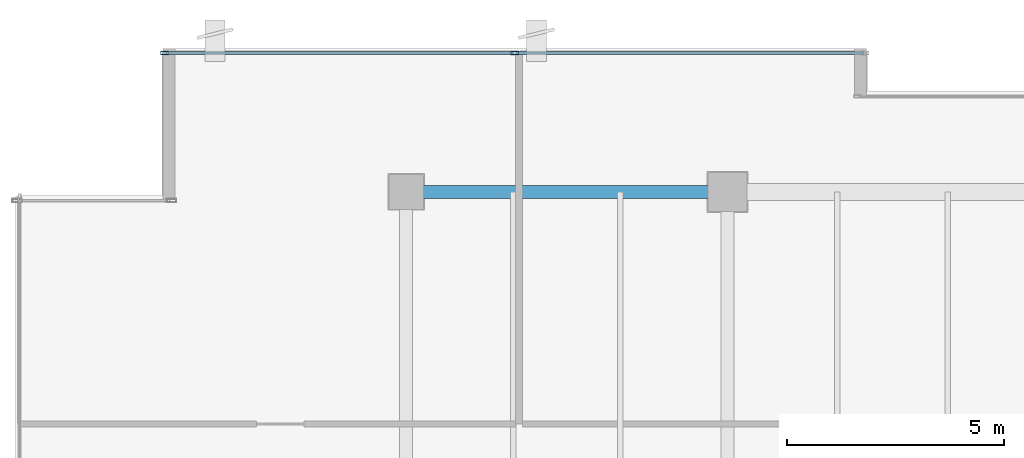
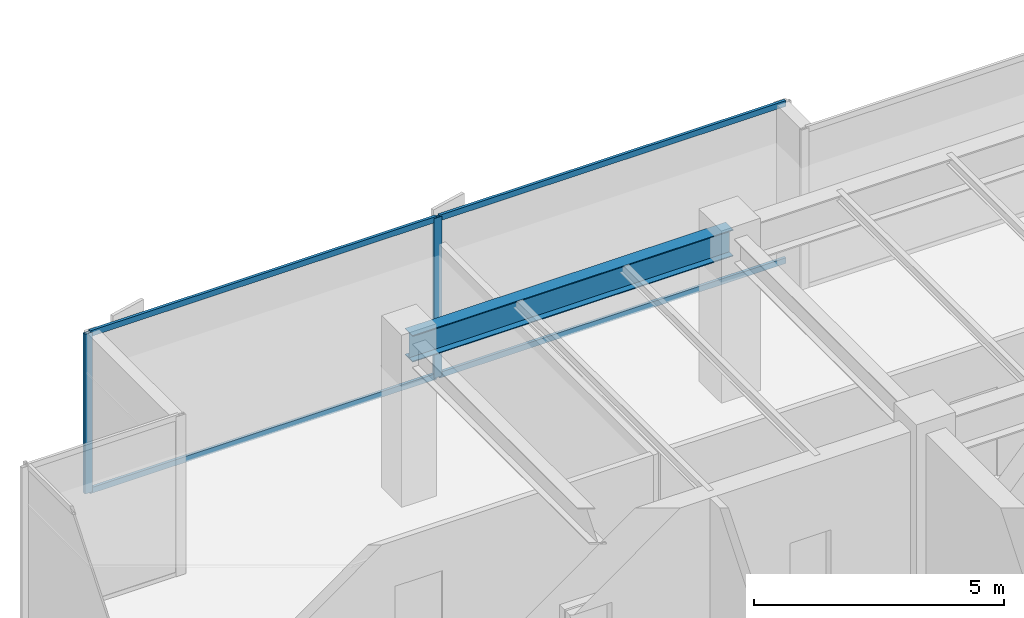
# One storey, part 19 of 32: 6 members, 1 beam, 1 element without a shape of its own.
"""IFC4 building model written with IfcOpenShell, lengths in metres."""

import ifcopenshell
import ifcopenshell.guid

model = None  # the IFC model being written
_history = None  # IfcOwnerHistory: only IFC2X3 demands one
_inside = {}  # id of a spatial element -> (the spatial element, [elements in it])
_under = {}  # id of a project, library or spatial element -> (it, [spatial elements below it])
_declared = {}  # id of a project -> (the project, [libraries it declares])
_typed = {}  # id of a type object -> (the type object, [elements of that type])
_made_of = {}  # id of a material, layer set ... -> (it, [elements and type objects made of it])


def new_model(schema):
    """Start an empty IFC model of exactly this schema.

    Asked for "IFC4X3", IfcOpenShell would pick the latest addendum, in which some entities
    have other attributes; the version numbers below select the first issue.
    IFC2X3 requires an IfcOwnerHistory on every rooted entity: one is made here for all.
    """
    global model, _history
    if schema == "IFC4X3":
        model = ifcopenshell.file(schema_version=(4, 3, 0, 0))
    else:
        model = ifcopenshell.file(schema=schema)
    _inside.clear()
    _under.clear()
    _declared.clear()
    _typed.clear()
    _made_of.clear()
    _history = None
    if model.schema == "IFC2X3":
        org = make("IfcOrganization", Name="unknown")
        user = make(
            "IfcPersonAndOrganization",
            ThePerson=make("IfcPerson", FamilyName="unknown"),
            TheOrganization=org,
        )
        app = make(
            "IfcApplication",
            ApplicationDeveloper=org,
            Version="unknown",
            ApplicationFullName="unknown",
            ApplicationIdentifier="unknown",
        )
        _history = make(
            "IfcOwnerHistory",
            OwningUser=user,
            OwningApplication=app,
            ChangeAction="ADDED",
            CreationDate=0,
        )
    return model


def make(cls, **values):
    """One entity of the class cls with the attributes given. An attribute that is None is left unset."""
    return model.create_entity(
        cls, **{name: value for name, value in values.items() if value is not None}
    )


def rooted(cls, **values):
    """An entity with a GlobalId (a new one), such as an element, a storey or a relation."""
    return make(cls, GlobalId=ifcopenshell.guid.new(), OwnerHistory=_history, **values)


def si_unit(unit_type, name, prefix=None):
    """IfcSIUnit, for example si_unit("LENGTHUNIT", "METRE", prefix="MILLI")."""
    return make("IfcSIUnit", UnitType=unit_type, Prefix=prefix, Name=name)


def assignment(units):
    """IfcUnitAssignment: the units of a project."""
    return None if units is None else make("IfcUnitAssignment", Units=units)


def point(xyz):
    """IfcCartesianPoint."""
    return None if xyz is None else make("IfcCartesianPoint", Coordinates=xyz)


def direction(xyz):
    """IfcDirection."""
    return None if xyz is None else make("IfcDirection", DirectionRatios=xyz)


def frame(location, z_axis=None, x_axis=None):
    """IfcAxis2Placement3D, a coordinate frame: its origin and axes. An axis left out is left unset."""
    return make(
        "IfcAxis2Placement3D",
        Location=point(location),
        Axis=direction(z_axis),
        RefDirection=direction(x_axis),
    )


def frame_2d(location, x_axis=None):
    """IfcAxis2Placement2D, a coordinate frame in the plane: its origin and x axis."""
    return make(
        "IfcAxis2Placement2D", Location=point(location), RefDirection=direction(x_axis)
    )


def origin():
    """The frame at (0, 0, 0) with its axes left unset."""
    return frame((0.0, 0.0, 0.0))


def origin_2d():
    """The frame at (0, 0) in the plane with its x axis left unset."""
    return frame_2d((0.0, 0.0))


def place(relative_to, where):
    """IfcLocalPlacement: puts the frame where relative to a parent placement (None: the world)."""
    return make(
        "IfcLocalPlacement", PlacementRelTo=relative_to, RelativePlacement=where
    )


def context(
    kind, dimensions, precision=None, world=None, true_north=None, identifier=None
):
    """IfcGeometricRepresentationContext, for example the 3D "Model" context."""
    return make(
        "IfcGeometricRepresentationContext",
        ContextIdentifier=identifier,
        ContextType=kind,
        CoordinateSpaceDimension=dimensions,
        Precision=precision,
        WorldCoordinateSystem=world,
        TrueNorth=true_north,
    )


def subcontext(parent, identifier, kind, view, scale=None):
    """IfcGeometricRepresentationSubContext, for example "Body" below "Model"."""
    return make(
        "IfcGeometricRepresentationSubContext",
        ContextIdentifier=identifier,
        ContextType=kind,
        ParentContext=parent,
        TargetScale=scale,
        TargetView=view,
    )


def project(units=None, contexts=None):
    """IfcProject with its units and contexts."""
    return rooted(
        "IfcProject",
        Name="project",
        RepresentationContexts=contexts,
        UnitsInContext=assignment(units),
    )


def spatial(cls, under=None, at=None, **own):
    """A site, building, storey or space (cls), placed at a placement, below another one or the project."""
    s = rooted(cls, ObjectPlacement=at, **own)
    if under is not None:
        _under.setdefault(under.id(), (under, []))[1].append(s)
    return s


def profile(cls, at=None, kind="AREA", **sizes):
    """A parametric profile (cls). Its sizes go by their IFC names, for example OverallWidth=200.0."""
    return make(cls, ProfileType=kind, Position=at, **sizes)


def hollow_rectangle(**sizes):
    """IfcRectangleHollowProfileDef."""
    return profile("IfcRectangleHollowProfileDef", **sizes)


def i_section(**sizes):
    """IfcIShapeProfileDef."""
    return profile("IfcIShapeProfileDef", **sizes)


def extrude(swept, where, along, depth):
    """IfcExtrudedAreaSolid: the profile swept, set in the frame where, extruded along a direction by depth."""
    return make(
        "IfcExtrudedAreaSolid",
        SweptArea=swept,
        Position=where,
        ExtrudedDirection=direction(along),
        Depth=depth,
    )


def shape(context_of_items, identifier, shape_type, items):
    """IfcShapeRepresentation: the items that make up one representation, for example the "Body"."""
    return make(
        "IfcShapeRepresentation",
        ContextOfItems=context_of_items,
        RepresentationIdentifier=identifier,
        RepresentationType=shape_type,
        Items=items,
    )


def source(mapping_origin, context_of_items, identifier, shape_type, items):
    """IfcRepresentationMap: a shape defined once, which mapped items show again and again."""
    return make(
        "IfcRepresentationMap",
        MappingOrigin=mapping_origin,
        MappedRepresentation=shape(context_of_items, identifier, shape_type, items),
    )


def transform(
    local_origin,
    x_axis=None,
    y_axis=None,
    z_axis=None,
    scale=None,
    scale2=None,
    scale3=None,
    uniform=True,
):
    """IfcCartesianTransformationOperator3D, or its non-uniform kind. x_axis, y_axis, z_axis: its Axis1, 2, 3."""
    if uniform:
        return make(
            "IfcCartesianTransformationOperator3D",
            Axis1=direction(x_axis),
            Axis2=direction(y_axis),
            LocalOrigin=point(local_origin),
            Scale=scale,
            Axis3=direction(z_axis),
        )
    return make(
        "IfcCartesianTransformationOperator3DnonUniform",
        Axis1=direction(x_axis),
        Axis2=direction(y_axis),
        LocalOrigin=point(local_origin),
        Scale=scale,
        Axis3=direction(z_axis),
        Scale2=scale2,
        Scale3=scale3,
    )


def mapped(mapping_source, mapping_target):
    """IfcMappedItem: shows the shape of a source again, moved by a transform."""
    return make(
        "IfcMappedItem", MappingSource=mapping_source, MappingTarget=mapping_target
    )


def material(Name=None, Category=None):
    """IfcMaterial."""
    return make("IfcMaterial", Name=Name, Category=Category)


def layer(
    of_material, thickness, ventilated=None, Name=None, Category=None, Priority=None
):
    """IfcMaterialLayer: one layer of a wall or slab, of a material (None: an air gap)."""
    return make(
        "IfcMaterialLayer",
        Material=of_material,
        LayerThickness=thickness,
        IsVentilated=ventilated,
        Name=Name,
        Category=Category,
        Priority=Priority,
    )


def layer_set(layers, Name=None):
    """IfcMaterialLayerSet."""
    return make("IfcMaterialLayerSet", MaterialLayers=layers, LayerSetName=Name)


def material_profile(
    of_material, cross_section, Name=None, Category=None, Priority=None
):
    """IfcMaterialProfile: a cross section and its material."""
    return make(
        "IfcMaterialProfile",
        Name=Name,
        Material=of_material,
        Profile=cross_section,
        Priority=Priority,
        Category=Category,
    )


def profile_set(profiles, Name=None, composite=None):
    """IfcMaterialProfileSet."""
    return make(
        "IfcMaterialProfileSet",
        Name=Name,
        MaterialProfiles=profiles,
        CompositeProfile=composite,
    )


def made_of(thing, what):
    """Note that an element or type object is made of a material, layer set ...; save() writes the relation."""
    if what is not None:
        _made_of.setdefault(what.id(), (what, []))[1].append(thing)
    return thing


def type_object(cls, material=None, **own):
    """A type object (cls), such as IfcWallType, which elements share."""
    return made_of(rooted(cls, **own), material)


def type_shapes(of_type, sources):
    """Give a type object the sources (RepresentationMaps) that its elements show as mapped items."""
    of_type.RepresentationMaps = sources


def element(
    cls,
    number,
    at=None,
    inside=None,
    cuts=None,
    type_object=None,
    material=None,
    context=None,
    identifier="Body",
    shape_type=None,
    held_by="IfcProductDefinitionShape",
    body=None,
    shapes=None,
    **own,
):
    """One element of the class cls, such as IfcWall. Its Tag is "e" and its number.

    at: its placement. inside: the storey or other place that contains it. cuts: it is an
    opening in that element (IfcRelVoidsElement). A single representation is given by context,
    identifier, shape_type and body (its items); several are given by shapes. held_by: the class
    of the entity that holds the representations. save() writes the other relations.
    """
    e = rooted(cls, Tag="e%d" % number, ObjectPlacement=at, **own)
    if body is not None:
        shapes = [shape(context, identifier, shape_type, body)]
    if shapes is not None:
        e.Representation = make(held_by, Representations=shapes)
    if inside is not None:
        _inside.setdefault(inside.id(), (inside, []))[1].append(e)
    if cuts is not None:
        rooted(
            "IfcRelVoidsElement", RelatingBuildingElement=cuts, RelatedOpeningElement=e
        )
    if type_object is not None:
        _typed.setdefault(type_object.id(), (type_object, []))[1].append(e)
    return made_of(e, material)


def aggregate(whole, parts):
    """IfcRelAggregates: a whole, such as a stair, and the parts it consists of."""
    return rooted("IfcRelAggregates", RelatingObject=whole, RelatedObjects=parts)


def save(model, path):
    """Write the relations noted so far, then the file.

    IfcRelAggregates (storeys below a building ...), IfcRelContainedInSpatialStructure (elements
    in a storey), IfcRelDefinesByType, IfcRelAssociatesMaterial and IfcRelDeclares: one each for
    every whole, place, type object, material and project.
    """
    for whole, parts in _under.values():
        aggregate(whole, parts)
    for where, things in _inside.values():
        rooted(
            "IfcRelContainedInSpatialStructure",
            RelatedElements=things,
            RelatingStructure=where,
        )
    for kind, things in _typed.values():
        rooted("IfcRelDefinesByType", RelatedObjects=things, RelatingType=kind)
    for what, things in _made_of.values():
        rooted("IfcRelAssociatesMaterial", RelatedObjects=things, RelatingMaterial=what)
    for by, libraries in _declared.values():
        rooted("IfcRelDeclares", RelatingContext=by, RelatedDefinitions=libraries)
    model.write(path)


model = new_model("IFC4")

# Units and contexts
model_context = context("Model", 3, precision=1e-05, world=origin(), true_north=direction((0.0, 1.0)))
body_context = subcontext(model_context, "Body", "Model", "MODEL_VIEW")
ifc_project = project(units=[si_unit("LENGTHUNIT", "METRE"), si_unit("AREAUNIT", "SQUARE_METRE"), si_unit("VOLUMEUNIT", "CUBIC_METRE"), si_unit("PLANEANGLEUNIT", "RADIAN"), si_unit("MASSUNIT", "GRAM", prefix="KILO")], contexts=[model_context])

# Site, building, storey
site_placement = place(None, origin())
site = spatial("IfcSite", under=ifc_project, at=site_placement, CompositionType="ELEMENT")
building_placement = place(site_placement, origin())
building = spatial("IfcBuilding", under=site, at=building_placement, Name="Haelvirn Gate Laboratories", CompositionType="ELEMENT")
storey_placement = place(building_placement, frame((0.0, 0.0, 306.0)))
storey = spatial("IfcBuildingStorey", under=building, at=storey_placement, Name="L73", CompositionType="ELEMENT", Elevation=306.0)

# Beam
ifc_material_1 = material(Name="Steel SM355", Category="steel")
ifc_material_profile_1 = material_profile(ifc_material_1, i_section(OverallWidth=0.300048828125, OverallDepth=0.64990234375, WebThickness=0.012939453125, FlangeThickness=0.02197265625, at=origin_2d()), Name="H-650x300x13x22")
ifc_profile_set_1 = profile_set([ifc_material_profile_1], Name="Steel SM355")
beam_type = type_object("IfcBeamType", Name="BM-G-650", PredefinedType="BEAM", material=ifc_profile_set_1)
shared_shape_1 = source(origin(), body_context, "Body", "SweptSolid", [
    extrude(i_section(OverallWidth=0.300048828125, OverallDepth=0.64990234375, WebThickness=0.012939453125, FlangeThickness=0.02197265625, at=origin_2d()), origin(), (0.0, 0.0, 1.0), 7.39990234375),
])
type_shapes(beam_type, [shared_shape_1])
beam_placement = place(storey_placement, frame((14.800048828125, 41.60009765625, 3.574951171875), z_axis=(1.0, 0.0, 0.0), x_axis=(0.0, 1.0, 0.0)))
element("IfcBeam", 1, at=beam_placement, inside=storey, type_object=beam_type, Name="L73 Primary Girder Y41.6 (14.8-22.2)", PredefinedType="BEAM", context=body_context, shape_type="MappedRepresentation", body=[
    mapped(shared_shape_1, transform((0.0, 0.0, 0.0), scale=1.0)),
])

# Curtain wall, members
ifc_material_2 = material(Name="Anodised bronze unitised aluminium & triple low-E glass", Category="aluminium")
ifc_layer = layer(ifc_material_2, 0.176025390625, Name="CW-SYS-4")
ifc_layer_set = layer_set([ifc_layer], Name="Anodised bronze unitised aluminium & triple low-E glass")
curtain_wall_type = type_object("IfcCurtainWallType", Name="CW-SYS-4", PredefinedType="NOTDEFINED", material=ifc_layer_set)
curtain_wall_placement = place(storey_placement, origin())
curtain_wall = element("IfcCurtainWall", 2, at=curtain_wall_placement, inside=storey, type_object=curtain_wall_type, Name="L73 Unitised Curtain Wall CW-L73-P0-E14-1", PredefinedType="NOTDEFINED")
ifc_material_3 = material(Name="Extruded aluminium 6063-T6 (anodised bronze)", Category="aluminium")
ifc_material_profile_2 = material_profile(ifc_material_3, hollow_rectangle(XDim=0.070068359375, YDim=0.179931640625, WallThickness=0.0048828125, at=origin_2d()), Name="CWM-180x70x5")
ifc_profile_set_2 = profile_set([ifc_material_profile_2], Name="Extruded aluminium 6063-T6 (anodised bronze)")
member_type_1 = type_object("IfcMemberType", Name="CWM-T180", PredefinedType="MULLION", material=ifc_profile_set_2)
shared_shape_2 = source(origin(), body_context, "Body", "SweptSolid", [
    extrude(hollow_rectangle(XDim=0.070068359375, YDim=0.179931640625, WallThickness=0.0048828125, at=origin_2d()), origin(), (0.0, 0.0, 1.0), 3.89990234375),
])
type_shapes(member_type_1, [shared_shape_2])
member_1_placement = place(storey_placement, frame((9.235107421875, 44.800048828125, 0.0), z_axis=(0.0, 0.0, 1.0), x_axis=(0.0, 1.0, 0.0)))
member_1 = element("IfcMember", 3, at=member_1_placement, type_object=member_type_1, Name="CW4 mullion 1", PredefinedType="MULLION", context=body_context, shape_type="MappedRepresentation", body=[
    mapped(shared_shape_2, transform((0.0, 0.0, 0.0), scale=1.0)),
])
member_2_placement = place(storey_placement, frame((17.300048828125, 44.800048828125, 0.0), z_axis=(0.0, 0.0, 1.0), x_axis=(0.0, 1.0, 0.0)))
member_2 = element("IfcMember", 4, at=member_2_placement, type_object=member_type_1, Name="CW4 mullion 2", PredefinedType="MULLION", context=body_context, shape_type="MappedRepresentation", body=[
    mapped(shared_shape_2, transform((0.0, 0.0, 0.0), scale=1.0)),
])
ifc_material_profile_3 = material_profile(ifc_material_3, hollow_rectangle(XDim=0.06494140625, YDim=0.139892578125, WallThickness=0.00390625, at=origin_2d()), Name="CWT-140x65x4")
ifc_profile_set_3 = profile_set([ifc_material_profile_3], Name="Extruded aluminium 6063-T6 (anodised bronze)")
member_type_2 = type_object("IfcMemberType", Name="CWT-T140", PredefinedType="USERDEFINED", material=ifc_profile_set_3)
shared_shape_3 = source(origin(), body_context, "Body", "SweptSolid", [
    extrude(hollow_rectangle(XDim=0.06494140625, YDim=0.139892578125, WallThickness=0.00390625, at=origin_2d()), origin(), (0.0, 0.0, 1.0), 7.9951171875),
])
member_3_placement = place(storey_placement, frame((17.3349609375, 44.800048828125, 0.032470703125), z_axis=(1.0, 0.0, 0.0), x_axis=(0.0, 1.0, 0.0)))
member_3 = element("IfcMember", 5, at=member_3_placement, type_object=member_type_2, Name="CW4 transom 2.1", ObjectType="TRANSOM", PredefinedType="USERDEFINED", context=body_context, shape_type="MappedRepresentation", body=[
    mapped(shared_shape_3, transform((0.0, 0.0, 0.0), scale=1.0)),
])
member_4_placement = place(storey_placement, frame((17.3349609375, 44.800048828125, 3.867431640625), z_axis=(1.0, 0.0, 0.0), x_axis=(0.0, 1.0, 0.0)))
member_4 = element("IfcMember", 6, at=member_4_placement, type_object=member_type_2, Name="CW4 transom 2.2", ObjectType="TRANSOM", PredefinedType="USERDEFINED", context=body_context, shape_type="MappedRepresentation", body=[
    mapped(shared_shape_3, transform((0.0, 0.0, 0.0), scale=1.0)),
])
shared_shape_4 = source(origin(), body_context, "Body", "SweptSolid", [
    extrude(hollow_rectangle(XDim=0.06494140625, YDim=0.139892578125, WallThickness=0.00390625, at=origin_2d()), origin(), (0.0, 0.0, 1.0), 7.994873046875),
])
type_shapes(member_type_2, [shared_shape_3, shared_shape_4])
member_5_placement = place(storey_placement, frame((9.27001953125, 44.800048828125, 0.032470703125), z_axis=(1.0, 0.0, 0.0), x_axis=(0.0, 1.0, 0.0)))
member_5 = element("IfcMember", 7, at=member_5_placement, type_object=member_type_2, Name="CW4 transom 1.1", ObjectType="TRANSOM", PredefinedType="USERDEFINED", context=body_context, shape_type="MappedRepresentation", body=[
    mapped(shared_shape_4, transform((0.0, 0.0, 0.0), scale=1.0)),
])
member_6_placement = place(storey_placement, frame((9.27001953125, 44.800048828125, 3.867431640625), z_axis=(1.0, 0.0, 0.0), x_axis=(0.0, 1.0, 0.0)))
member_6 = element("IfcMember", 8, at=member_6_placement, type_object=member_type_2, Name="CW4 transom 1.2", ObjectType="TRANSOM", PredefinedType="USERDEFINED", context=body_context, shape_type="MappedRepresentation", body=[
    mapped(shared_shape_4, transform((0.0, 0.0, 0.0), scale=1.0)),
])
aggregate(curtain_wall, [member_1, member_2, member_5, member_6, member_3, member_4])

save(model, "model.ifc")
